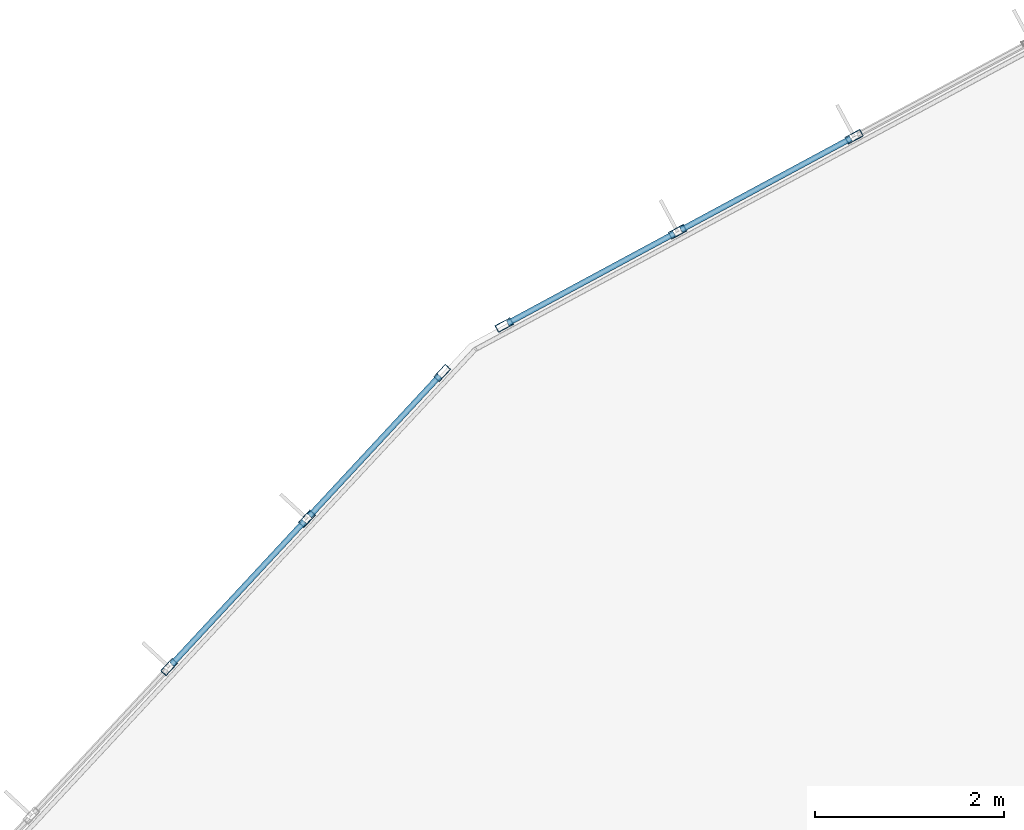
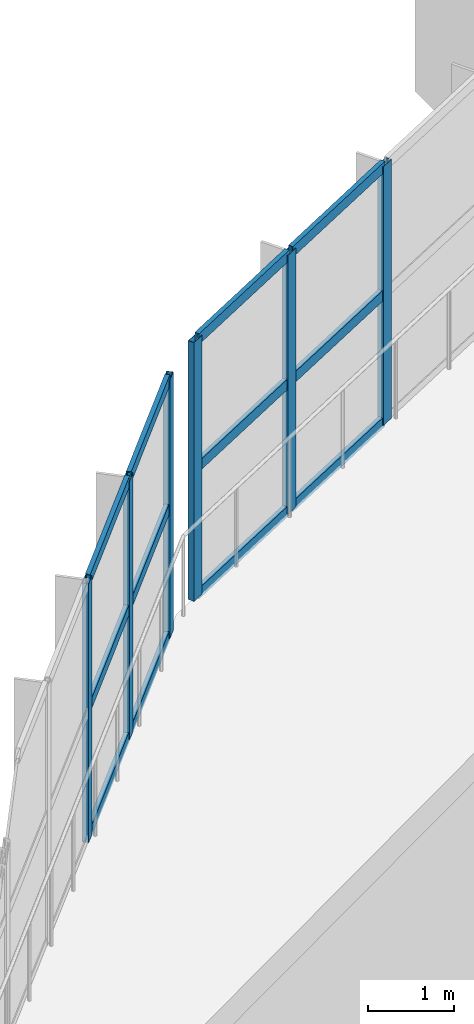
# One storey, part 58 of 175: 18 members, 2 elements without a shape of their own.
"""IFC4 building model written with IfcOpenShell, lengths in metres."""

from ifc_helpers import new_model, si_unit, direction, frame, origin, origin_2d, place, context, subcontext, project, spatial, hollow_rectangle, extrude, material, layer, layer_set, material_profile, profile_set, type_object, element, aggregate, save


model = new_model("IFC4")

# Units and contexts
model_context = context("Model", 3, precision=1e-05, world=origin(), true_north=direction((0.0, 1.0)))
body_context = subcontext(model_context, "Body", "Model", "MODEL_VIEW")
ifc_project = project(units=[si_unit("LENGTHUNIT", "METRE"), si_unit("AREAUNIT", "SQUARE_METRE"), si_unit("VOLUMEUNIT", "CUBIC_METRE"), si_unit("PLANEANGLEUNIT", "RADIAN"), si_unit("MASSUNIT", "GRAM", prefix="KILO")], contexts=[model_context])

# Site, building, storey
site_placement = place(None, origin())
site = spatial("IfcSite", under=ifc_project, at=site_placement, CompositionType="ELEMENT")
building_placement = place(site_placement, origin())
building = spatial("IfcBuilding", under=site, at=building_placement, Name="Zizhar Promenade General Hospital", CompositionType="ELEMENT")
storey_placement = place(building_placement, frame((0.0, 0.0, 4.800048828125)))
storey = spatial("IfcBuildingStorey", under=building, at=storey_placement, Name="L01", CompositionType="ELEMENT", Elevation=4.800048828125)

# Curtain wall, members
ifc_material_1 = material(Name="Anodised aluminium 6063-T6 and low-E glass", Category="aluminium")
ifc_layer = layer(ifc_material_1, 0.159912109375)
ifc_layer_set = layer_set([ifc_layer], Name="Anodised aluminium 6063-T6 and low-E glass")
curtain_wall_type = type_object("IfcCurtainWallType", Name="CW-DT-MOD2", PredefinedType="NOTDEFINED", material=ifc_layer_set)
curtain_wall_1_placement = place(storey_placement, origin())
curtain_wall_1 = element("IfcCurtainWall", 1, at=curtain_wall_1_placement, inside=storey, type_object=curtain_wall_type, Name="West Diagnostic Arm Glazed Curtain Wall L01-NW2", PredefinedType="NOTDEFINED")
ifc_material_2 = material(Name="Anodised aluminium 6063-T6", Category="aluminium")
ifc_material_profile_1 = material_profile(ifc_material_2, hollow_rectangle(XDim=0.080078125, YDim=0.179931640625, WallThickness=0.0048828125, at=origin_2d()))
ifc_profile_set_1 = profile_set([ifc_material_profile_1], Name="Anodised aluminium 6063-T6")
member_type_1 = type_object("IfcMemberType", Name="CWM-ALU-180x80", PredefinedType="MULLION", material=ifc_profile_set_1)
member_1_placement = place(storey_placement, frame((12.42822265625, 72.184326171875, 0.0), z_axis=(0.0, 0.0, 1.0), x_axis=(-0.732792826081, 0.680451816108, 0.0)))
member_1 = element("IfcMember", 2, at=member_1_placement, type_object=member_type_1, Name="CW-08 mullion 4", PredefinedType="MULLION", context=body_context, shape_type="SweptSolid", body=[
    extrude(hollow_rectangle(XDim=0.080078125, YDim=0.179931640625, WallThickness=0.0048828125, at=origin_2d()), origin(), (0.0, 0.0, 1.0), 3.679931640625),
])
member_2_placement = place(storey_placement, frame((13.884765625, 73.7529296875, 0.0), z_axis=(0.0, 0.0, 1.0), x_axis=(-0.732792826081, 0.680451816108, 0.0)))
member_2 = element("IfcMember", 3, at=member_2_placement, type_object=member_type_1, Name="CW-08 mullion 5", PredefinedType="MULLION", context=body_context, shape_type="SweptSolid", body=[
    extrude(hollow_rectangle(XDim=0.080078125, YDim=0.179931640625, WallThickness=0.0048828125, at=origin_2d()), origin(), (0.0, 0.0, 1.0), 3.679931640625),
])
member_3_placement = place(storey_placement, frame((15.314208984375, 75.292236328125, 0.0), z_axis=(0.0, 0.0, 1.0), x_axis=(-0.732792826081, 0.680451816108, 0.0)))
member_3 = element("IfcMember", 4, at=member_3_placement, type_object=member_type_1, Name="CW-08 mullion 6", PredefinedType="MULLION", context=body_context, shape_type="SweptSolid", body=[
    extrude(hollow_rectangle(XDim=0.080078125, YDim=0.179931640625, WallThickness=0.0048828125, at=origin_2d()), origin(), (0.0, 0.0, 1.0), 3.679931640625),
])

curtain_wall_2_placement = place(storey_placement, origin())
curtain_wall_2 = element("IfcCurtainWall", 5, at=curtain_wall_2_placement, inside=storey, type_object=curtain_wall_type, Name="West Diagnostic Arm Glazed Curtain Wall L01-NW3", PredefinedType="NOTDEFINED")
member_4_placement = place(storey_placement, frame((15.9697265625, 75.799072265625, 0.0), z_axis=(0.0, 0.0, 1.0), x_axis=(-0.474097009774, 0.880472614749, 0.0)))
member_4 = element("IfcMember", 6, at=member_4_placement, type_object=member_type_1, Name="CW-08 mullion 1", PredefinedType="MULLION", context=body_context, shape_type="SweptSolid", body=[
    extrude(hollow_rectangle(XDim=0.080078125, YDim=0.179931640625, WallThickness=0.0048828125, at=origin_2d()), origin(), (0.0, 0.0, 1.0), 3.679931640625),
])
member_5_placement = place(storey_placement, frame((17.801025390625, 76.78515625, 0.0), z_axis=(0.0, 0.0, 1.0), x_axis=(-0.474097009774, 0.880472614749, 0.0)))
member_5 = element("IfcMember", 7, at=member_5_placement, type_object=member_type_1, Name="CW-08 mullion 2", PredefinedType="MULLION", context=body_context, shape_type="SweptSolid", body=[
    extrude(hollow_rectangle(XDim=0.080078125, YDim=0.179931640625, WallThickness=0.0048828125, at=origin_2d()), origin(), (0.0, 0.0, 1.0), 3.679931640625),
])
member_6_placement = place(storey_placement, frame((19.667236328125, 77.7900390625, 0.0), z_axis=(0.0, 0.0, 1.0), x_axis=(-0.474097009774, 0.880472614749, 0.0)))
member_6 = element("IfcMember", 8, at=member_6_placement, type_object=member_type_1, Name="CW-08 mullion 3", PredefinedType="MULLION", context=body_context, shape_type="SweptSolid", body=[
    extrude(hollow_rectangle(XDim=0.080078125, YDim=0.179931640625, WallThickness=0.0048828125, at=origin_2d()), origin(), (0.0, 0.0, 1.0), 3.679931640625),
])

# Member
ifc_material_3 = material(Name="Anodised aluminium 6063-T6", Category="aluminium")
ifc_material_profile_2 = material_profile(ifc_material_3, hollow_rectangle(XDim=0.06005859375, YDim=0.14990234375, WallThickness=0.00390625, at=origin_2d()))
ifc_profile_set_2 = profile_set([ifc_material_profile_2], Name="Anodised aluminium 6063-T6")
member_type_2 = type_object("IfcMemberType", Name="CWT-ALU-150x60", PredefinedType="USERDEFINED", material=ifc_profile_set_2)
member_7_placement = place(storey_placement, frame((12.45556640625, 72.213623046875, 0.030029296875), z_axis=(0.680437465798, 0.732806151133, 0.0), x_axis=(-0.732806151133, 0.680437465798, 0.0)))
member_7 = element("IfcMember", 9, at=member_7_placement, type_object=member_type_2, Name="CW-08 transom 4.1", ObjectType="TRANSOM", PredefinedType="USERDEFINED", context=body_context, shape_type="SweptSolid", body=[
    extrude(hollow_rectangle(XDim=0.06005859375, YDim=0.14990234375, WallThickness=0.00390625, at=origin_2d()), origin(), (0.0, 0.0, 1.0), 2.060546875),
])

member_8_placement = place(storey_placement, frame((12.45556640625, 72.213623046875, 1.83984375), z_axis=(0.680437465798, 0.732806151133, 0.0), x_axis=(-0.732806151133, 0.680437465798, 0.0)))
member_8 = element("IfcMember", 10, at=member_8_placement, type_object=member_type_2, Name="CW-08 transom 4.2", ObjectType="TRANSOM", PredefinedType="USERDEFINED", context=body_context, shape_type="SweptSolid", body=[
    extrude(hollow_rectangle(XDim=0.06005859375, YDim=0.14990234375, WallThickness=0.00390625, at=origin_2d()), origin(), (0.0, 0.0, 1.0), 2.060546875),
])

member_9_placement = place(storey_placement, frame((12.45556640625, 72.213623046875, 3.64990234375), z_axis=(0.680437465798, 0.732806151133, 0.0), x_axis=(-0.732806151133, 0.680437465798, 0.0)))
member_9 = element("IfcMember", 11, at=member_9_placement, type_object=member_type_2, Name="CW-08 transom 4.3", ObjectType="TRANSOM", PredefinedType="USERDEFINED", context=body_context, shape_type="SweptSolid", body=[
    extrude(hollow_rectangle(XDim=0.06005859375, YDim=0.14990234375, WallThickness=0.00390625, at=origin_2d()), origin(), (0.0, 0.0, 1.0), 2.060546875),
])

member_10_placement = place(storey_placement, frame((13.912109375, 73.7822265625, 0.030029296875), z_axis=(0.680400116913, 0.732840829174, 0.0), x_axis=(-0.732840829174, 0.680400116913, 0.0)))
member_10 = element("IfcMember", 12, at=member_10_placement, type_object=member_type_2, Name="CW-08 transom 5.1", ObjectType="TRANSOM", PredefinedType="USERDEFINED", context=body_context, shape_type="SweptSolid", body=[
    extrude(hollow_rectangle(XDim=0.06005859375, YDim=0.14990234375, WallThickness=0.00390625, at=origin_2d()), origin(), (0.0, 0.0, 1.0), 2.0205078125),
])

member_11_placement = place(storey_placement, frame((13.912109375, 73.7822265625, 1.83984375), z_axis=(0.680400116913, 0.732840829174, 0.0), x_axis=(-0.732840829174, 0.680400116913, 0.0)))
member_11 = element("IfcMember", 13, at=member_11_placement, type_object=member_type_2, Name="CW-08 transom 5.2", ObjectType="TRANSOM", PredefinedType="USERDEFINED", context=body_context, shape_type="SweptSolid", body=[
    extrude(hollow_rectangle(XDim=0.06005859375, YDim=0.14990234375, WallThickness=0.00390625, at=origin_2d()), origin(), (0.0, 0.0, 1.0), 2.0205078125),
])

member_12_placement = place(storey_placement, frame((13.912109375, 73.7822265625, 3.64990234375), z_axis=(0.680400116913, 0.732840829174, 0.0), x_axis=(-0.732840829174, 0.680400116913, 0.0)))
member_12 = element("IfcMember", 14, at=member_12_placement, type_object=member_type_2, Name="CW-08 transom 5.3", ObjectType="TRANSOM", PredefinedType="USERDEFINED", context=body_context, shape_type="SweptSolid", body=[
    extrude(hollow_rectangle(XDim=0.06005859375, YDim=0.14990234375, WallThickness=0.00390625, at=origin_2d()), origin(), (0.0, 0.0, 1.0), 2.0205078125),
])

aggregate(curtain_wall_1, [member_1, member_2, member_3, member_7, member_8, member_9, member_10, member_11, member_12])

member_13_placement = place(storey_placement, frame((16.005126953125, 75.818115234375, 0.030029296875), z_axis=(0.880463258516, 0.474114385358, 0.0), x_axis=(-0.474114385358, 0.880463258516, 0.0)))
member_13 = element("IfcMember", 15, at=member_13_placement, type_object=member_type_2, Name="CW-08 transom 1.1", ObjectType="TRANSOM", PredefinedType="USERDEFINED", context=body_context, shape_type="SweptSolid", body=[
    extrude(hollow_rectangle(XDim=0.06005859375, YDim=0.14990234375, WallThickness=0.00390625, at=origin_2d()), origin(), (0.0, 0.0, 1.0), 1.99951171875),
])

member_14_placement = place(storey_placement, frame((16.005126953125, 75.818115234375, 1.83984375), z_axis=(0.880463258516, 0.474114385358, 0.0), x_axis=(-0.474114385358, 0.880463258516, 0.0)))
member_14 = element("IfcMember", 16, at=member_14_placement, type_object=member_type_2, Name="CW-08 transom 1.2", ObjectType="TRANSOM", PredefinedType="USERDEFINED", context=body_context, shape_type="SweptSolid", body=[
    extrude(hollow_rectangle(XDim=0.06005859375, YDim=0.14990234375, WallThickness=0.00390625, at=origin_2d()), origin(), (0.0, 0.0, 1.0), 1.99951171875),
])

member_15_placement = place(storey_placement, frame((16.005126953125, 75.818115234375, 3.64990234375), z_axis=(0.880463258516, 0.474114385358, 0.0), x_axis=(-0.474114385358, 0.880463258516, 0.0)))
member_15 = element("IfcMember", 17, at=member_15_placement, type_object=member_type_2, Name="CW-08 transom 1.3", ObjectType="TRANSOM", PredefinedType="USERDEFINED", context=body_context, shape_type="SweptSolid", body=[
    extrude(hollow_rectangle(XDim=0.06005859375, YDim=0.14990234375, WallThickness=0.00390625, at=origin_2d()), origin(), (0.0, 0.0, 1.0), 1.99951171875),
])

member_16_placement = place(storey_placement, frame((17.836181640625, 76.80419921875, 0.030029296875), z_axis=(0.880467256516, 0.47410696072, 0.0), x_axis=(-0.47410696072, 0.880467256516, 0.0)))
member_16 = element("IfcMember", 18, at=member_16_placement, type_object=member_type_2, Name="CW-08 transom 2.1", ObjectType="TRANSOM", PredefinedType="USERDEFINED", context=body_context, shape_type="SweptSolid", body=[
    extrude(hollow_rectangle(XDim=0.06005859375, YDim=0.14990234375, WallThickness=0.00390625, at=origin_2d()), origin(), (0.0, 0.0, 1.0), 2.039794921875),
])

member_17_placement = place(storey_placement, frame((17.836181640625, 76.80419921875, 1.83984375), z_axis=(0.880467256516, 0.47410696072, 0.0), x_axis=(-0.47410696072, 0.880467256516, 0.0)))
member_17 = element("IfcMember", 19, at=member_17_placement, type_object=member_type_2, Name="CW-08 transom 2.2", ObjectType="TRANSOM", PredefinedType="USERDEFINED", context=body_context, shape_type="SweptSolid", body=[
    extrude(hollow_rectangle(XDim=0.06005859375, YDim=0.14990234375, WallThickness=0.00390625, at=origin_2d()), origin(), (0.0, 0.0, 1.0), 2.039794921875),
])

member_18_placement = place(storey_placement, frame((17.836181640625, 76.80419921875, 3.64990234375), z_axis=(0.880467256516, 0.47410696072, 0.0), x_axis=(-0.47410696072, 0.880467256516, 0.0)))
member_18 = element("IfcMember", 20, at=member_18_placement, type_object=member_type_2, Name="CW-08 transom 2.3", ObjectType="TRANSOM", PredefinedType="USERDEFINED", context=body_context, shape_type="SweptSolid", body=[
    extrude(hollow_rectangle(XDim=0.06005859375, YDim=0.14990234375, WallThickness=0.00390625, at=origin_2d()), origin(), (0.0, 0.0, 1.0), 2.039794921875),
])

aggregate(curtain_wall_2, [member_4, member_5, member_6, member_13, member_14, member_15, member_16, member_17, member_18])

save(model, "model.ifc")
